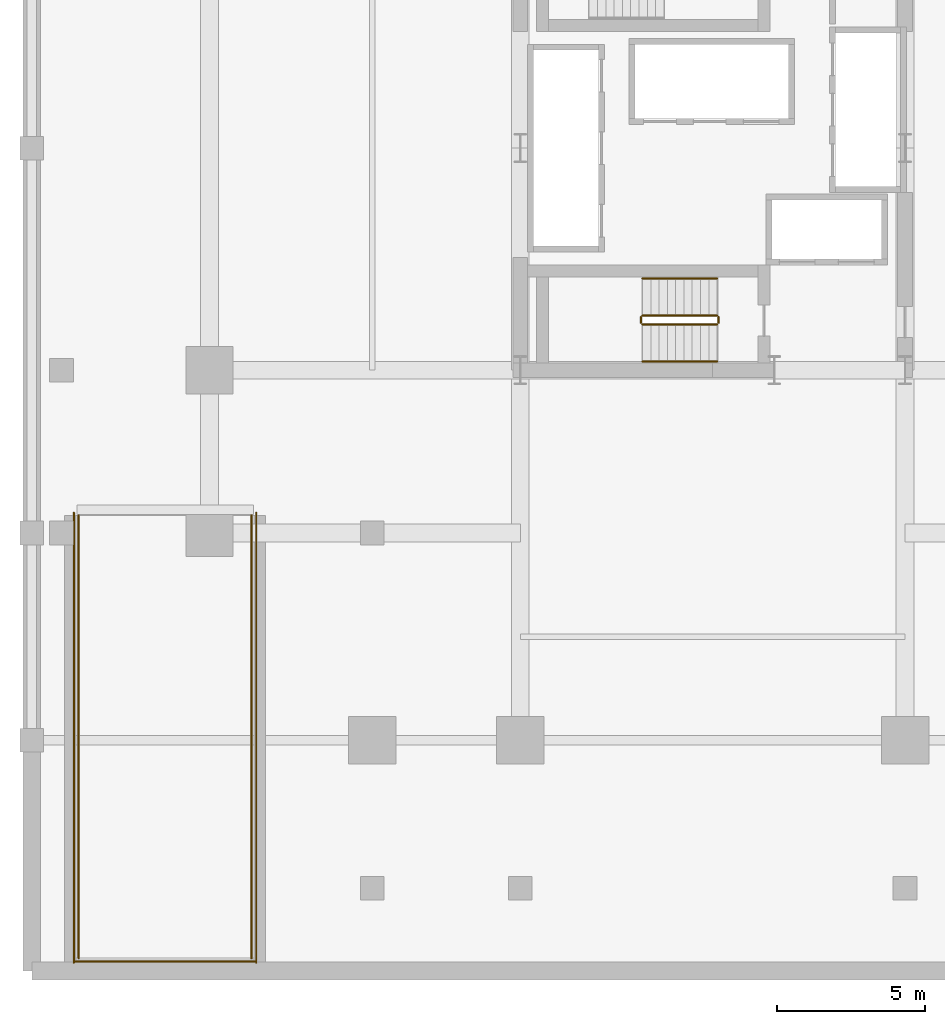
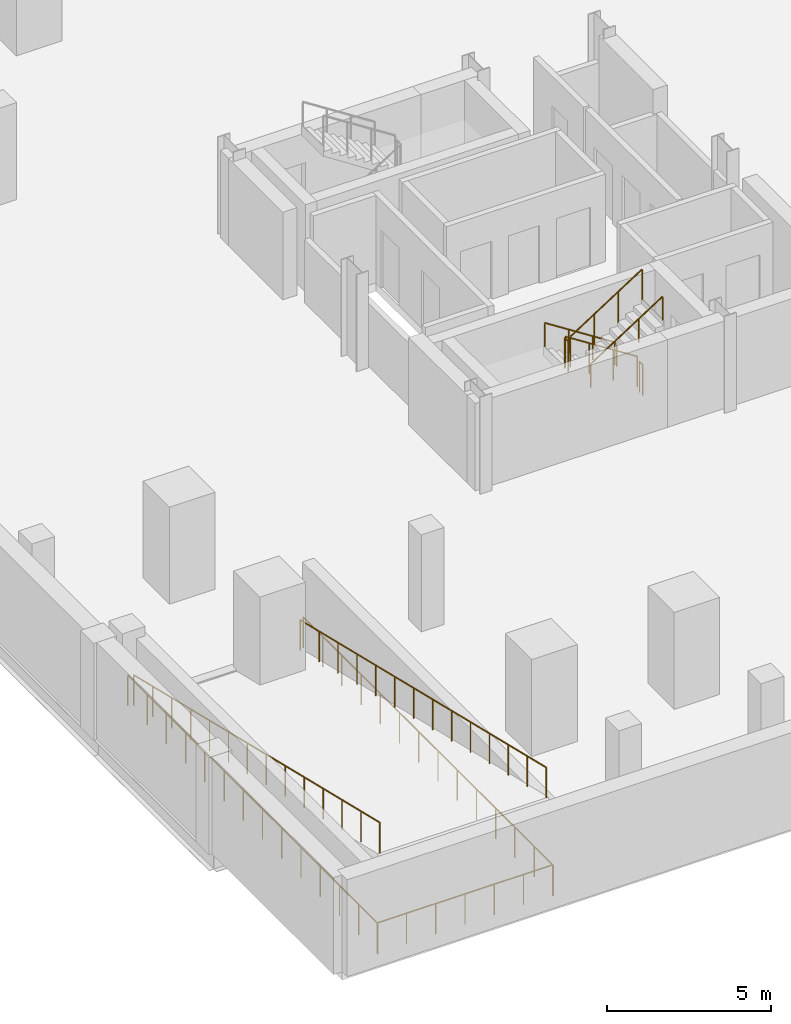
# One storey, part 7 of 11: 11 railings.
"""IFC4 building model written with IfcOpenShell, lengths in metres."""

from ifc_helpers import new_model, si_unit, direction, frame, origin, origin_2d, place, context, subcontext, project, spatial, circle, extrude, material, type_object, element, save


model = new_model("IFC4")

# Units and contexts
model_context = context("Model", 3, precision=1e-05, world=origin(), true_north=direction((0.0, 1.0)))
body_context = subcontext(model_context, "Body", "Model", "MODEL_VIEW")
ifc_project = project(units=[si_unit("LENGTHUNIT", "METRE"), si_unit("AREAUNIT", "SQUARE_METRE"), si_unit("VOLUMEUNIT", "CUBIC_METRE"), si_unit("PLANEANGLEUNIT", "RADIAN"), si_unit("MASSUNIT", "GRAM", prefix="KILO")], contexts=[model_context])

# Site, building, storey
site_placement = place(None, origin())
site = spatial("IfcSite", under=ifc_project, at=site_placement, CompositionType="ELEMENT")
building_placement = place(site_placement, origin())
building = spatial("IfcBuilding", under=site, at=building_placement, Name="Barlavira Tower and Art Museum", CompositionType="ELEMENT")
storey_placement = place(building_placement, frame((0.0, 0.0, -3.60009765625)))
storey = spatial("IfcBuildingStorey", under=building, at=storey_placement, Name="B01", CompositionType="ELEMENT", Elevation=-3.60009765625)

# Railings
ifc_material = material(Name="Brushed stainless steel", Category="steel")
railing_type_1 = type_object("IfcRailingType", Name="Interior Void and Landing Guard Railing 1150", PredefinedType="GUARDRAIL", material=ifc_material)
railing_1_placement = place(storey_placement, frame((0.14990234375, -5.64990234375, 0.18017578125)))
element("IfcRailing", 1, at=railing_1_placement, inside=storey, type_object=railing_type_1, Name="B01 ST-T1 stair guard 1", PredefinedType="GUARDRAIL", context=body_context, shape_type="SweptSolid", body=[
    extrude(circle(Radius=0.02392578125, at=origin_2d()), frame((0.0, 0.0, 1.1259765625), z_axis=(-0.841199657755, 0.0, 0.540724639528), x_axis=(0.0, -1.0, 0.0)), (0.0, 0.0, 1.0), 2.995849609375),
    extrude(circle(Radius=0.02099609375, at=origin_2d()), origin(), (0.0, 0.0, 1.0), 1.101806640625),
    extrude(circle(Radius=0.02099609375, at=origin_2d()), frame((-0.840087890625, 0.0, 0.5400390625)), (0.0, 0.0, 1.0), 1.101806640625),
    extrude(circle(Radius=0.02099609375, at=origin_2d()), frame((-1.679931640625, 0.0, 1.079833984375)), (0.0, 0.0, 1.0), 1.101806640625),
    extrude(circle(Radius=0.02099609375, at=origin_2d()), frame((-2.52001953125, 0.0, 1.619873046875)), (0.0, 0.0, 1.0), 1.101806640625),
])
railing_2_placement = place(storey_placement, frame((-2.419921875, -5.699951171875, 1.800048828125)))
element("IfcRailing", 2, at=railing_2_placement, inside=storey, type_object=railing_type_1, Name="B01 ST-T1 stair guard 2", PredefinedType="GUARDRAIL", context=body_context, shape_type="SweptSolid", body=[
    extrude(circle(Radius=0.02392578125, at=origin_2d()), frame((0.0, 0.0, 1.1259765625), z_axis=(0.0, -1.0, 0.0), x_axis=(1.0, 0.0, 0.0)), (0.0, 0.0, 1.0), 0.199951171875),
    extrude(circle(Radius=0.02099609375, at=origin_2d()), origin(), (0.0, 0.0, 1.0), 1.101806640625),
    extrude(circle(Radius=0.02099609375, at=origin_2d()), frame((0.0, -0.199951171875, 0.0)), (0.0, 0.0, 1.0), 1.101806640625),
])
railing_3_placement = place(storey_placement, frame((-2.3701171875, -5.949951171875, 1.97998046875)))
element("IfcRailing", 3, at=railing_3_placement, inside=storey, type_object=railing_type_1, Name="B01 ST-T1 stair guard 3", PredefinedType="GUARDRAIL", context=body_context, shape_type="SweptSolid", body=[
    extrude(circle(Radius=0.02392578125, at=origin_2d()), frame((0.0, 0.0, 1.1259765625), z_axis=(0.841162588446, 0.0, 0.540782303519), x_axis=(0.0, 1.0, 0.0)), (0.0, 0.0, 1.0), 2.995849609375),
    extrude(circle(Radius=0.02099609375, at=origin_2d()), origin(), (0.0, 0.0, 1.0), 1.101806640625),
    extrude(circle(Radius=0.02099609375, at=origin_2d()), frame((0.840087890625, 0.0, 0.5400390625)), (0.0, 0.0, 1.0), 1.101806640625),
    extrude(circle(Radius=0.02099609375, at=origin_2d()), frame((1.679931640625, 0.0, 1.080078125)), (0.0, 0.0, 1.0), 1.101806640625),
    extrude(circle(Radius=0.02099609375, at=origin_2d()), frame((2.52001953125, 0.0, 1.6201171875)), (0.0, 0.0, 1.0), 1.101806640625),
])
railing_4_placement = place(storey_placement, frame((0.199951171875, -5.699951171875, 0.0)))
element("IfcRailing", 4, at=railing_4_placement, inside=storey, type_object=railing_type_1, Name="B01 ST-T1 stair guard 4", PredefinedType="GUARDRAIL", context=body_context, shape_type="SweptSolid", body=[
    extrude(circle(Radius=0.02392578125, at=origin_2d()), frame((0.0, 0.0, 1.1259765625), z_axis=(0.0, -1.0, 0.0), x_axis=(1.0, 0.0, 0.0)), (0.0, 0.0, 1.0), 0.199951171875),
    extrude(circle(Radius=0.02099609375, at=origin_2d()), origin(), (0.0, 0.0, 1.0), 1.101806640625),
    extrude(circle(Radius=0.02099609375, at=origin_2d()), frame((0.0, -0.199951171875, 0.0)), (0.0, 0.0, 1.0), 1.101806640625),
])
railing_5_placement = place(storey_placement, frame((-21.580078125, -27.52001953125, 0.0)))
element("IfcRailing", 5, at=railing_5_placement, inside=storey, type_object=railing_type_1, Name="B01 Vehicle Ramp West Deck Guard", PredefinedType="GUARDRAIL", context=body_context, shape_type="SweptSolid", body=[
    extrude(circle(Radius=0.02392578125, at=origin_2d()), frame((0.0, 0.0, 1.1259765625), z_axis=(0.0, 1.0, 0.0), x_axis=(-1.0, 0.0, 0.0)), (0.0, 0.0, 1.0), 15.199951171875),
    extrude(circle(Radius=0.02099609375, at=origin_2d()), origin(), (0.0, 0.0, 1.0), 1.101806640625),
    extrude(circle(Radius=0.02099609375, at=origin_2d()), frame((0.0, 1.169189453125, 0.0)), (0.0, 0.0, 1.0), 1.101806640625),
    extrude(circle(Radius=0.02099609375, at=origin_2d()), frame((0.0, 2.33837890625, 0.0)), (0.0, 0.0, 1.0), 1.101806640625),
    extrude(circle(Radius=0.02099609375, at=origin_2d()), frame((0.0, 3.507568359375, 0.0)), (0.0, 0.0, 1.0), 1.101806640625),
    extrude(circle(Radius=0.02099609375, at=origin_2d()), frame((0.0, 4.677001953125, 0.0)), (0.0, 0.0, 1.0), 1.101806640625),
    extrude(circle(Radius=0.02099609375, at=origin_2d()), frame((0.0, 5.84619140625, 0.0)), (0.0, 0.0, 1.0), 1.101806640625),
    extrude(circle(Radius=0.02099609375, at=origin_2d()), frame((0.0, 7.015380859375, 0.0)), (0.0, 0.0, 1.0), 1.101806640625),
    extrude(circle(Radius=0.02099609375, at=origin_2d()), frame((0.0, 8.1845703125, 0.0)), (0.0, 0.0, 1.0), 1.101806640625),
    extrude(circle(Radius=0.02099609375, at=origin_2d()), frame((0.0, 9.353759765625, 0.0)), (0.0, 0.0, 1.0), 1.101806640625),
    extrude(circle(Radius=0.02099609375, at=origin_2d()), frame((0.0, 10.52294921875, 0.0)), (0.0, 0.0, 1.0), 1.101806640625),
    extrude(circle(Radius=0.02099609375, at=origin_2d()), frame((0.0, 11.6923828125, 0.0)), (0.0, 0.0, 1.0), 1.101806640625),
    extrude(circle(Radius=0.02099609375, at=origin_2d()), frame((0.0, 12.861572265625, 0.0)), (0.0, 0.0, 1.0), 1.101806640625),
    extrude(circle(Radius=0.02099609375, at=origin_2d()), frame((0.0, 14.03076171875, 0.0)), (0.0, 0.0, 1.0), 1.101806640625),
    extrude(circle(Radius=0.02099609375, at=origin_2d()), frame((0.0, 15.199951171875, 0.0)), (0.0, 0.0, 1.0), 1.101806640625),
])
railing_6_placement = place(storey_placement, frame((-15.419921875, -27.52001953125, 0.0)))
element("IfcRailing", 6, at=railing_6_placement, inside=storey, type_object=railing_type_1, Name="B01 Vehicle Ramp East Deck Guard", PredefinedType="GUARDRAIL", context=body_context, shape_type="SweptSolid", body=[
    extrude(circle(Radius=0.02392578125, at=origin_2d()), frame((0.0, 0.0, 1.1259765625), z_axis=(0.0, 1.0, 0.0), x_axis=(-1.0, 0.0, 0.0)), (0.0, 0.0, 1.0), 15.199951171875),
    extrude(circle(Radius=0.02099609375, at=origin_2d()), origin(), (0.0, 0.0, 1.0), 1.101806640625),
    extrude(circle(Radius=0.02099609375, at=origin_2d()), frame((0.0, 1.169189453125, 0.0)), (0.0, 0.0, 1.0), 1.101806640625),
    extrude(circle(Radius=0.02099609375, at=origin_2d()), frame((0.0, 2.33837890625, 0.0)), (0.0, 0.0, 1.0), 1.101806640625),
    extrude(circle(Radius=0.02099609375, at=origin_2d()), frame((0.0, 3.507568359375, 0.0)), (0.0, 0.0, 1.0), 1.101806640625),
    extrude(circle(Radius=0.02099609375, at=origin_2d()), frame((0.0, 4.677001953125, 0.0)), (0.0, 0.0, 1.0), 1.101806640625),
    extrude(circle(Radius=0.02099609375, at=origin_2d()), frame((0.0, 5.84619140625, 0.0)), (0.0, 0.0, 1.0), 1.101806640625),
    extrude(circle(Radius=0.02099609375, at=origin_2d()), frame((0.0, 7.015380859375, 0.0)), (0.0, 0.0, 1.0), 1.101806640625),
    extrude(circle(Radius=0.02099609375, at=origin_2d()), frame((0.0, 8.1845703125, 0.0)), (0.0, 0.0, 1.0), 1.101806640625),
    extrude(circle(Radius=0.02099609375, at=origin_2d()), frame((0.0, 9.353759765625, 0.0)), (0.0, 0.0, 1.0), 1.101806640625),
    extrude(circle(Radius=0.02099609375, at=origin_2d()), frame((0.0, 10.52294921875, 0.0)), (0.0, 0.0, 1.0), 1.101806640625),
    extrude(circle(Radius=0.02099609375, at=origin_2d()), frame((0.0, 11.6923828125, 0.0)), (0.0, 0.0, 1.0), 1.101806640625),
    extrude(circle(Radius=0.02099609375, at=origin_2d()), frame((0.0, 12.861572265625, 0.0)), (0.0, 0.0, 1.0), 1.101806640625),
    extrude(circle(Radius=0.02099609375, at=origin_2d()), frame((0.0, 14.03076171875, 0.0)), (0.0, 0.0, 1.0), 1.101806640625),
    extrude(circle(Radius=0.02099609375, at=origin_2d()), frame((0.0, 15.199951171875, 0.0)), (0.0, 0.0, 1.0), 1.101806640625),
])
railing_7_placement = place(storey_placement, frame((-21.580078125, -27.47998046875, 0.0)))
element("IfcRailing", 7, at=railing_7_placement, inside=storey, type_object=railing_type_1, Name="B01 Vehicle Ramp South Head Guard", PredefinedType="GUARDRAIL", context=body_context, shape_type="SweptSolid", body=[
    extrude(circle(Radius=0.02392578125, at=origin_2d()), frame((0.0, 0.0, 1.1259765625), z_axis=(1.0, 0.0, 0.0), x_axis=(0.0, 1.0, 0.0)), (0.0, 0.0, 1.0), 6.16015625),
    extrude(circle(Radius=0.02099609375, at=origin_2d()), origin(), (0.0, 0.0, 1.0), 1.101806640625),
    extrude(circle(Radius=0.02099609375, at=origin_2d()), frame((1.026611328125, 0.0, 0.0)), (0.0, 0.0, 1.0), 1.101806640625),
    extrude(circle(Radius=0.02099609375, at=origin_2d()), frame((2.053466796875, 0.0, 0.0)), (0.0, 0.0, 1.0), 1.101806640625),
    extrude(circle(Radius=0.02099609375, at=origin_2d()), frame((3.080078125, 0.0, 0.0)), (0.0, 0.0, 1.0), 1.101806640625),
    extrude(circle(Radius=0.02099609375, at=origin_2d()), frame((4.106689453125, 0.0, 0.0)), (0.0, 0.0, 1.0), 1.101806640625),
    extrude(circle(Radius=0.02099609375, at=origin_2d()), frame((5.133544921875, 0.0, 0.0)), (0.0, 0.0, 1.0), 1.101806640625),
    extrude(circle(Radius=0.02099609375, at=origin_2d()), frame((6.16015625, 0.0, 0.0)), (0.0, 0.0, 1.0), 1.101806640625),
])
railing_8_placement = place(storey_placement, frame((-21.419921875, -12.39990234375, 0.0)))
element("IfcRailing", 8, at=railing_8_placement, inside=storey, type_object=railing_type_1, Name="B01 Vehicle Ramp Flight West Guard", PredefinedType="GUARDRAIL", context=body_context, shape_type="SweptSolid", body=[
    extrude(circle(Radius=0.02392578125, at=origin_2d()), frame((0.0, 0.0, 1.1259765625), z_axis=(0.0, -0.972262190277, 0.233893636847), x_axis=(1.0, 0.0, 0.0)), (0.0, 0.0, 1.0), 15.39208984375),
    extrude(circle(Radius=0.02099609375, at=origin_2d()), origin(), (0.0, 0.0, 1.0), 1.101806640625),
    extrude(circle(Radius=0.02099609375, at=origin_2d()), frame((0.0, -1.151123046875, 0.27685546875)), (0.0, 0.0, 1.0), 1.101806640625),
    extrude(circle(Radius=0.02099609375, at=origin_2d()), frame((0.0, -2.30224609375, 0.553955078125)), (0.0, 0.0, 1.0), 1.101806640625),
    extrude(circle(Radius=0.02099609375, at=origin_2d()), frame((0.0, -3.453369140625, 0.830810546875)), (0.0, 0.0, 1.0), 1.101806640625),
    extrude(circle(Radius=0.02099609375, at=origin_2d()), frame((0.0, -4.604736328125, 1.107666015625)), (0.0, 0.0, 1.0), 1.101806640625),
    extrude(circle(Radius=0.02099609375, at=origin_2d()), frame((0.0, -5.755859375, 1.384765625)), (0.0, 0.0, 1.0), 1.101806640625),
    extrude(circle(Radius=0.02099609375, at=origin_2d()), frame((0.0, -6.906982421875, 1.66162109375)), (0.0, 0.0, 1.0), 1.101806640625),
    extrude(circle(Radius=0.02099609375, at=origin_2d()), frame((0.0, -8.05810546875, 1.9384765625)), (0.0, 0.0, 1.0), 1.101806640625),
    extrude(circle(Radius=0.02099609375, at=origin_2d()), frame((0.0, -9.209228515625, 2.21533203125)), (0.0, 0.0, 1.0), 1.101806640625),
    extrude(circle(Radius=0.02099609375, at=origin_2d()), frame((0.0, -10.3603515625, 2.492431640625)), (0.0, 0.0, 1.0), 1.101806640625),
    extrude(circle(Radius=0.02099609375, at=origin_2d()), frame((0.0, -11.51171875, 2.769287109375)), (0.0, 0.0, 1.0), 1.101806640625),
    extrude(circle(Radius=0.02099609375, at=origin_2d()), frame((0.0, -12.662841796875, 3.046142578125)), (0.0, 0.0, 1.0), 1.101806640625),
    extrude(circle(Radius=0.02099609375, at=origin_2d()), frame((0.0, -13.81396484375, 3.3232421875)), (0.0, 0.0, 1.0), 1.101806640625),
    extrude(circle(Radius=0.02099609375, at=origin_2d()), frame((0.0, -14.965087890625, 3.60009765625)), (0.0, 0.0, 1.0), 1.101806640625),
])
railing_9_placement = place(storey_placement, frame((-15.580078125, -12.39990234375, 0.0)))
element("IfcRailing", 9, at=railing_9_placement, inside=storey, type_object=railing_type_1, Name="B01 Vehicle Ramp Flight East Guard", PredefinedType="GUARDRAIL", context=body_context, shape_type="SweptSolid", body=[
    extrude(circle(Radius=0.02392578125, at=origin_2d()), frame((0.0, 0.0, 1.1259765625), z_axis=(0.0, -0.972262190277, 0.233893636847), x_axis=(1.0, 0.0, 0.0)), (0.0, 0.0, 1.0), 15.39208984375),
    extrude(circle(Radius=0.02099609375, at=origin_2d()), origin(), (0.0, 0.0, 1.0), 1.101806640625),
    extrude(circle(Radius=0.02099609375, at=origin_2d()), frame((0.0, -1.151123046875, 0.27685546875)), (0.0, 0.0, 1.0), 1.101806640625),
    extrude(circle(Radius=0.02099609375, at=origin_2d()), frame((0.0, -2.30224609375, 0.553955078125)), (0.0, 0.0, 1.0), 1.101806640625),
    extrude(circle(Radius=0.02099609375, at=origin_2d()), frame((0.0, -3.453369140625, 0.830810546875)), (0.0, 0.0, 1.0), 1.101806640625),
    extrude(circle(Radius=0.02099609375, at=origin_2d()), frame((0.0, -4.604736328125, 1.107666015625)), (0.0, 0.0, 1.0), 1.101806640625),
    extrude(circle(Radius=0.02099609375, at=origin_2d()), frame((0.0, -5.755859375, 1.384765625)), (0.0, 0.0, 1.0), 1.101806640625),
    extrude(circle(Radius=0.02099609375, at=origin_2d()), frame((0.0, -6.906982421875, 1.66162109375)), (0.0, 0.0, 1.0), 1.101806640625),
    extrude(circle(Radius=0.02099609375, at=origin_2d()), frame((0.0, -8.05810546875, 1.9384765625)), (0.0, 0.0, 1.0), 1.101806640625),
    extrude(circle(Radius=0.02099609375, at=origin_2d()), frame((0.0, -9.209228515625, 2.21533203125)), (0.0, 0.0, 1.0), 1.101806640625),
    extrude(circle(Radius=0.02099609375, at=origin_2d()), frame((0.0, -10.3603515625, 2.492431640625)), (0.0, 0.0, 1.0), 1.101806640625),
    extrude(circle(Radius=0.02099609375, at=origin_2d()), frame((0.0, -11.51171875, 2.769287109375)), (0.0, 0.0, 1.0), 1.101806640625),
    extrude(circle(Radius=0.02099609375, at=origin_2d()), frame((0.0, -12.662841796875, 3.046142578125)), (0.0, 0.0, 1.0), 1.101806640625),
    extrude(circle(Radius=0.02099609375, at=origin_2d()), frame((0.0, -13.81396484375, 3.3232421875)), (0.0, 0.0, 1.0), 1.101806640625),
    extrude(circle(Radius=0.02099609375, at=origin_2d()), frame((0.0, -14.965087890625, 3.60009765625)), (0.0, 0.0, 1.0), 1.101806640625),
])
railing_type_2 = type_object("IfcRailingType", Name="Stair Pitch Tubular Steel Handrail 920", PredefinedType="HANDRAIL", material=ifc_material)
railing_10_placement = place(storey_placement, frame((0.14990234375, -4.39990234375, 0.18017578125)))
element("IfcRailing", 10, at=railing_10_placement, inside=storey, type_object=railing_type_2, Name="B01 ST-T1 stair handrail 1", PredefinedType="HANDRAIL", context=body_context, shape_type="SweptSolid", body=[
    extrude(circle(Radius=0.02392578125, at=origin_2d()), frame((0.0, 0.0, 0.8759765625), z_axis=(-0.841199657755, 0.0, 0.540724639528), x_axis=(0.0, -1.0, 0.0)), (0.0, 0.0, 1.0), 2.995849609375),
    extrude(circle(Radius=0.02099609375, at=origin_2d()), origin(), (0.0, 0.0, 1.0), 0.851806640625),
    extrude(circle(Radius=0.02099609375, at=origin_2d()), frame((-0.840087890625, 0.0, 0.5400390625)), (0.0, 0.0, 1.0), 0.851806640625),
    extrude(circle(Radius=0.02099609375, at=origin_2d()), frame((-1.679931640625, 0.0, 1.079833984375)), (0.0, 0.0, 1.0), 0.851806640625),
    extrude(circle(Radius=0.02099609375, at=origin_2d()), frame((-2.52001953125, 0.0, 1.619873046875)), (0.0, 0.0, 1.0), 0.851806640625),
])
railing_11_placement = place(storey_placement, frame((-2.3701171875, -7.199951171875, 1.97998046875)))
element("IfcRailing", 11, at=railing_11_placement, inside=storey, type_object=railing_type_2, Name="B01 ST-T1 stair handrail 2", PredefinedType="HANDRAIL", context=body_context, shape_type="SweptSolid", body=[
    extrude(circle(Radius=0.02392578125, at=origin_2d()), frame((0.0, 0.0, 0.8759765625), z_axis=(0.841162588446, 0.0, 0.540782303519), x_axis=(0.0, 1.0, 0.0)), (0.0, 0.0, 1.0), 2.995849609375),
    extrude(circle(Radius=0.02099609375, at=origin_2d()), origin(), (0.0, 0.0, 1.0), 0.851806640625),
    extrude(circle(Radius=0.02099609375, at=origin_2d()), frame((0.840087890625, 0.0, 0.5400390625)), (0.0, 0.0, 1.0), 0.851806640625),
    extrude(circle(Radius=0.02099609375, at=origin_2d()), frame((1.679931640625, 0.0, 1.080078125)), (0.0, 0.0, 1.0), 0.851806640625),
    extrude(circle(Radius=0.02099609375, at=origin_2d()), frame((2.52001953125, 0.0, 1.6201171875)), (0.0, 0.0, 1.0), 0.851806640625),
])

save(model, "model.ifc")
